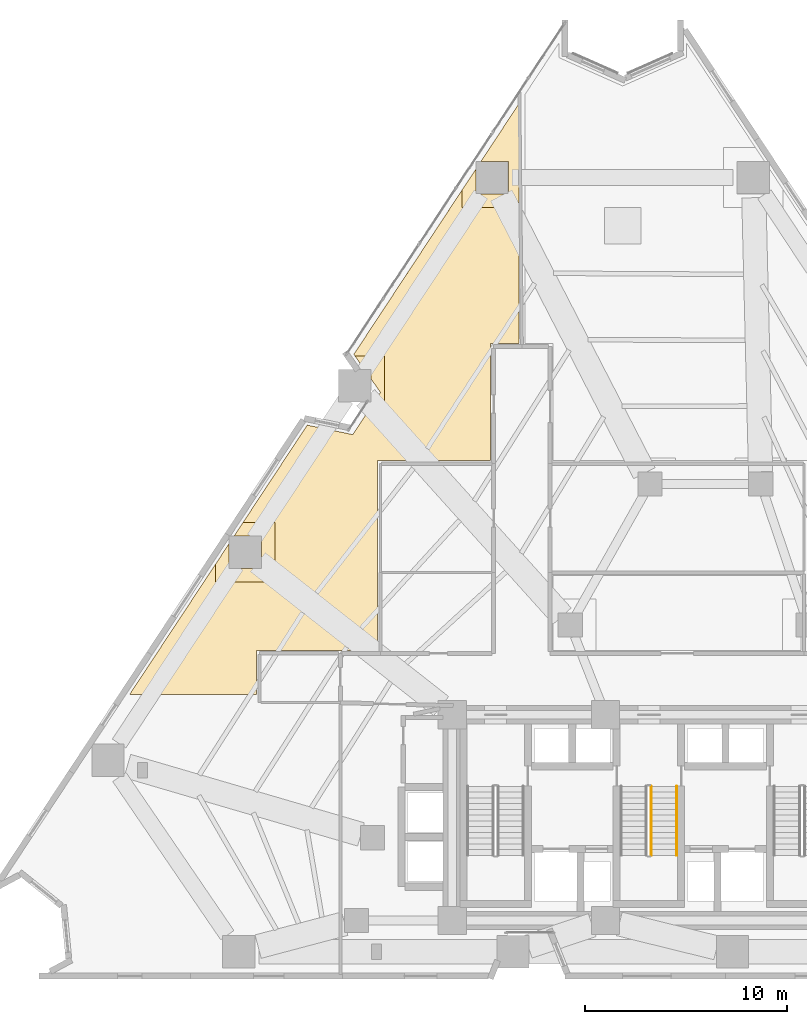
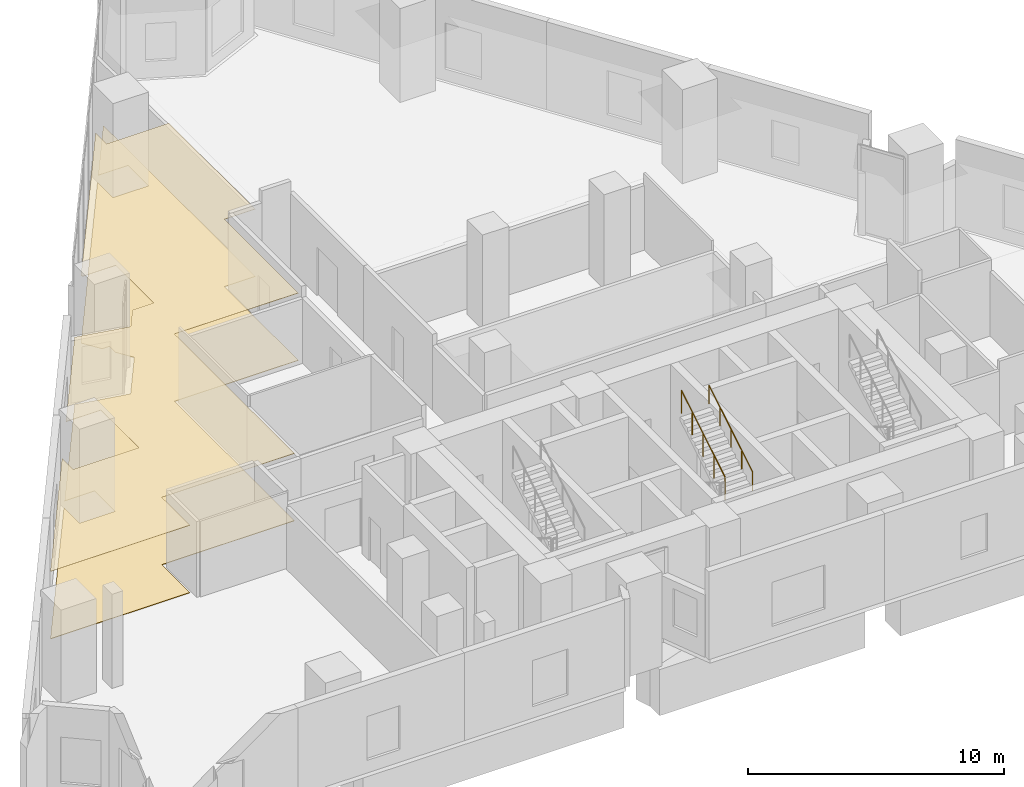
# One storey, part 13 of 15: 2 coverings, 2 railings.
"""IFC4 building model written with IfcOpenShell, lengths in metres."""

from ifc_helpers import new_model, si_unit, direction, frame, origin, origin_2d, place, context, subcontext, project, spatial, polyline, circle, outline, extrude, material, layer, layer_set, type_object, element, save


model = new_model("IFC4")

# Units and contexts
model_context = context("Model", 3, precision=1e-05, world=origin(), true_north=direction((0.0, 1.0)))
body_context = subcontext(model_context, "Body", "Model", "MODEL_VIEW")
ifc_project = project(units=[si_unit("LENGTHUNIT", "METRE"), si_unit("AREAUNIT", "SQUARE_METRE"), si_unit("VOLUMEUNIT", "CUBIC_METRE"), si_unit("PLANEANGLEUNIT", "RADIAN"), si_unit("MASSUNIT", "GRAM", prefix="KILO")], contexts=[model_context])

# Site, building, storey
site_placement = place(None, origin())
site = spatial("IfcSite", under=ifc_project, at=site_placement, CompositionType="ELEMENT")
building_placement = place(site_placement, origin())
building = spatial("IfcBuilding", under=site, at=building_placement, Name="Almagre Mirador Tower", CompositionType="ELEMENT")
storey_placement = place(building_placement, frame((0.0, 0.0, 8.39990234375)))
storey = spatial("IfcBuildingStorey", under=building, at=storey_placement, Name="L01", CompositionType="ELEMENT", Elevation=8.39990234375)

# Coverings
ifc_material_1 = material(Name="Perforated acoustic gypsum ceiling", Category="other")
ifc_layer_1 = layer(ifc_material_1, 0.01806640625)
ifc_layer_set_1 = layer_set([ifc_layer_1], Name="Perforated acoustic gypsum ceiling")
covering_type_1 = type_object("IfcCoveringType", Name="COV-CEIL-GYP-18", PredefinedType="CEILING", material=ifc_layer_set_1)
covering_1_placement = place(storey_placement, frame((0.0, 0.0, 3.22021484375)))
element("IfcCovering", 1, at=covering_1_placement, inside=storey, type_object=covering_type_1, Name="L01 Sculpture Terrace Espresso Bar acoustic suspended ceiling", PredefinedType="CEILING", context=body_context, shape_type="SweptSolid", body=[
    extrude(outline(polyline([(22.6708984375, 32.6220703125), (28.0419921875, 40.77587890625), (28.0419921875, 39.907958984375), (30.85009765625, 39.907958984375), (30.85009765625, 33.14990234375), (29.449951171875, 33.14990234375), (29.449951171875, 27.35009765625), (23.85009765625, 27.35009765625), (23.85009765625, 17.949951171875), (17.85009765625, 17.949951171875), (17.85009765625, 15.75), (11.549072265625, 15.75), (15.802001953125, 22.200927734375), (15.802001953125, 21.33203125), (18.761962890625, 21.33203125), (18.761962890625, 24.2919921875), (17.180908203125, 24.2919921875), (20.35888671875, 29.112060546875), (22.618896484375, 28.64208984375), (23.239990234375, 29.587890625), (24.201904296875, 29.587890625), (24.201904296875, 32.548095703125), (22.722900390625, 32.548095703125), (22.6708984375, 32.6220703125)])), origin(), (0.0, 0.0, 1.0), 0.017822265625),
])
ifc_material_2 = material(Name="Honed basalt terrazzo flooring", Category="masonry")
ifc_layer_2 = layer(ifc_material_2, 0.02197265625)
ifc_layer_set_2 = layer_set([ifc_layer_2], Name="Honed basalt terrazzo flooring")
covering_type_2 = type_object("IfcCoveringType", Name="COV-FLR-TER-22", PredefinedType="FLOORING", material=ifc_layer_set_2)
covering_2_placement = place(storey_placement, origin())
element("IfcCovering", 2, at=covering_2_placement, inside=storey, type_object=covering_type_2, Name="L01 Sculpture Terrace Espresso Bar finish flooring", PredefinedType="FLOORING", context=body_context, shape_type="SweptSolid", body=[
    extrude(outline(polyline([(23.527099609375, 31.39697265625), (23.527099609375, 31.873046875), (23.195068359375, 31.873046875), (22.6708984375, 32.6220703125), (28.717041015625, 41.801025390625), (28.717041015625, 40.5830078125), (30.326904296875, 40.5830078125), (30.326904296875, 42.193115234375), (28.97509765625, 42.193115234375), (30.85009765625, 45.0400390625), (30.85009765625, 33.14990234375), (29.449951171875, 33.14990234375), (29.449951171875, 27.35009765625), (23.85009765625, 27.35009765625), (23.85009765625, 17.949951171875), (17.85009765625, 17.949951171875), (17.85009765625, 15.75), (11.549072265625, 15.75), (16.47705078125, 23.22412109375), (16.47705078125, 22.007080078125), (18.0869140625, 22.007080078125), (18.0869140625, 23.616943359375), (16.736083984375, 23.616943359375), (20.35888671875, 29.112060546875), (22.618896484375, 28.64208984375), (23.990966796875, 30.73291015625), (23.527099609375, 31.39697265625)])), origin(), (0.0, 0.0, 1.0), 0.022216796875),
])

# Railings
ifc_material_3 = material(Name="Painted galvanized steel", Category="steel")
railing_type_1 = type_object("IfcRailingType", Name="RLG-GRD-1100", PredefinedType="GUARDRAIL", material=ifc_material_3)
railing_1_placement = place(storey_placement, frame((37.425048828125, 7.780029296875, 2.423095703125)))
element("IfcRailing", 3, at=railing_1_placement, inside=storey, type_object=railing_type_1, Name="L01 ST-2 stair guard 3", PredefinedType="GUARDRAIL", context=body_context, shape_type="SweptSolid", body=[
    extrude(circle(Radius=0.02392578125, at=origin_2d()), frame((0.0, 0.0, 1.09619140625), z_axis=(0.0, 0.854729506542, 0.519073665916), x_axis=(-1.0, 0.0, 0.0)), (0.0, 0.0, 1.0), 4.001220703125),
    extrude(circle(Radius=0.02099609375, at=origin_2d()), origin(), (0.0, 0.0, 1.0), 1.072021484375),
    extrude(circle(Radius=0.02099609375, at=origin_2d()), frame((0.0, 0.85498046875, 0.519287109375)), (0.0, 0.0, 1.0), 1.072021484375),
    extrude(circle(Radius=0.02099609375, at=origin_2d()), frame((0.0, 1.7099609375, 1.03857421875)), (0.0, 0.0, 1.0), 1.072021484375),
    extrude(circle(Radius=0.02099609375, at=origin_2d()), frame((0.0, 2.56494140625, 1.5576171875)), (0.0, 0.0, 1.0), 1.072021484375),
    extrude(circle(Radius=0.02099609375, at=origin_2d()), frame((0.0, 3.419921875, 2.076904296875)), (0.0, 0.0, 1.0), 1.072021484375),
])
ifc_material_4 = material(Name="Brushed stainless steel", Category="steel")
railing_type_2 = type_object("IfcRailingType", Name="RLG-HND-915", PredefinedType="HANDRAIL", material=ifc_material_4)
railing_2_placement = place(storey_placement, frame((38.675048828125, 7.780029296875, 2.423095703125)))
element("IfcRailing", 4, at=railing_2_placement, inside=storey, type_object=railing_type_2, Name="L01 ST-2 stair handrail 2", PredefinedType="HANDRAIL", context=body_context, shape_type="SweptSolid", body=[
    extrude(circle(Radius=0.02392578125, at=origin_2d()), frame((0.0, 0.0, 0.89111328125), z_axis=(0.0, 0.854729506542, 0.519073665916), x_axis=(-1.0, 0.0, 0.0)), (0.0, 0.0, 1.0), 4.001220703125),
    extrude(circle(Radius=0.02099609375, at=origin_2d()), origin(), (0.0, 0.0, 1.0), 0.866943359375),
    extrude(circle(Radius=0.02099609375, at=origin_2d()), frame((0.0, 0.85498046875, 0.519287109375)), (0.0, 0.0, 1.0), 0.866943359375),
    extrude(circle(Radius=0.02099609375, at=origin_2d()), frame((0.0, 1.7099609375, 1.03857421875)), (0.0, 0.0, 1.0), 0.866943359375),
    extrude(circle(Radius=0.02099609375, at=origin_2d()), frame((0.0, 2.56494140625, 1.5576171875)), (0.0, 0.0, 1.0), 0.866943359375),
    extrude(circle(Radius=0.02099609375, at=origin_2d()), frame((0.0, 3.419921875, 2.076904296875)), (0.0, 0.0, 1.0), 0.866943359375),
])

save(model, "model.ifc")
